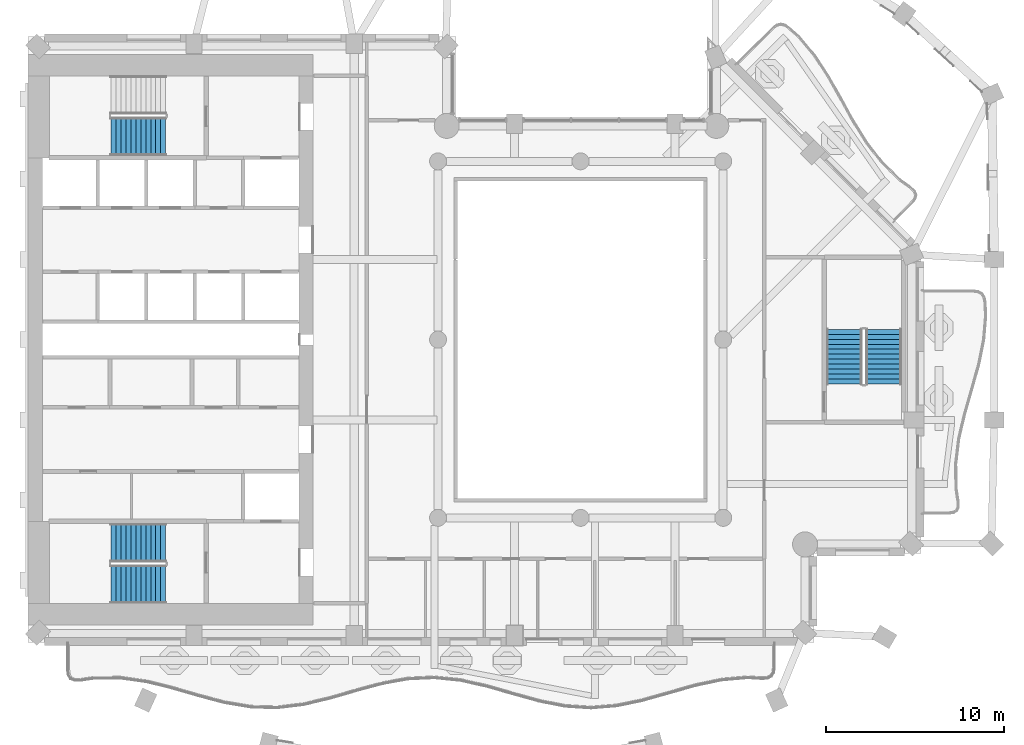
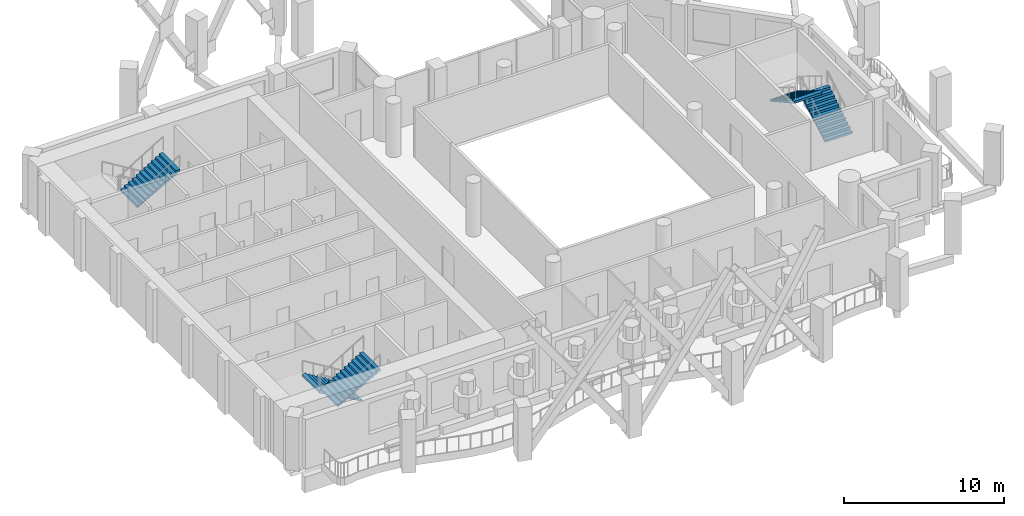
# One storey, part 9 of 16: 5 stair flights, 3 elements without a shape of their own.
"""IFC4 building model written with IfcOpenShell, lengths in metres."""

from ifc_helpers import new_model, si_unit, direction, frame, origin, place, context, subcontext, project, spatial, triangles, material, type_object, element, aggregate, save


model = new_model("IFC4")

# Units and contexts
model_context = context("Model", 3, precision=1e-05, world=origin(), true_north=direction((0.0, 1.0)))
body_context = subcontext(model_context, "Body", "Model", "MODEL_VIEW")
ifc_project = project(units=[si_unit("LENGTHUNIT", "METRE"), si_unit("AREAUNIT", "SQUARE_METRE"), si_unit("VOLUMEUNIT", "CUBIC_METRE"), si_unit("PLANEANGLEUNIT", "RADIAN"), si_unit("MASSUNIT", "GRAM", prefix="KILO")], contexts=[model_context])

# Site, building, storey
site_placement = place(None, origin())
site = spatial("IfcSite", under=ifc_project, at=site_placement, CompositionType="ELEMENT")
building_placement = place(site_placement, origin())
building = spatial("IfcBuilding", under=site, at=building_placement, Name="Cypress Arch Tower", CompositionType="ELEMENT")
storey_placement = place(building_placement, frame((0.0, 0.0, 230.199951171875)))
storey = spatial("IfcBuildingStorey", under=building, at=storey_placement, Name="L51", CompositionType="ELEMENT", Elevation=230.199951171875)

# Stair, stair flights
ifc_material_1 = material(Name="Concrete C40/50", Category="concrete")
stair_type_1 = type_object("IfcStairType", Name="Exit stair ES1708-200", PredefinedType="HALF_TURN_STAIR", material=ifc_material_1)
stair_1_placement = place(storey_placement, origin())
stair_1 = element("IfcStair", 1, at=stair_1_placement, inside=storey, type_object=stair_type_1, Name="L51 Exit stair C", PredefinedType="HALF_TURN_STAIR")
ifc_material_2 = material(Name="Concrete C40/50", Category="concrete")
stair_flight_type_1 = type_object("IfcStairFlightType", Name="Exit stair flight ES1708-200", PredefinedType="STRAIGHT", material=ifc_material_2)
stair_flight_1_placement = place(storey_placement, frame((18.0, -2.5, 0.0), z_axis=(0.0, 0.0, 1.0), x_axis=(0.0, 1.0, 0.0)))
stair_flight_1 = element("IfcStairFlight", 2, at=stair_flight_1_placement, type_object=stair_flight_type_1, Name="C flight 1", NumberOfRisers=12, NumberOfTreads=11, PredefinedType="STRAIGHT", RiserHeight=0.170833333, TreadLength=0.28, context=body_context, shape_type="Tessellation", body=[
    triangles([(0.0, -1.0, 0.0), (0.0, -1.0, 0.1708984375), (0.280029296875, -1.0, 0.1708984375), (0.280029296875, -1.0, 0.341552734375), (0.56005859375, -1.0, 0.341552734375), (0.56005859375, -1.0, 0.512451171875), (0.840087890625, -1.0, 0.512451171875), (0.840087890625, -1.0, 0.683349609375), (1.1201171875, -1.0, 0.683349609375), (1.1201171875, -1.0, 0.854248046875), (1.39990234375, -1.0, 0.854248046875), (1.39990234375, -1.0, 1.02490234375), (1.679931640625, -1.0, 1.02490234375), (1.679931640625, -1.0, 1.19580078125), (1.9599609375, -1.0, 1.19580078125), (1.9599609375, -1.0, 1.36669921875), (2.239990234375, -1.0, 1.36669921875), (2.239990234375, -1.0, 1.53759765625), (2.52001953125, -1.0, 1.53759765625), (2.52001953125, -1.0, 1.708251953125), (2.800048828125, -1.0, 1.708251953125), (2.800048828125, -1.0, 1.879150390625), (3.080078125, -1.0, 1.879150390625), (3.080078125, -1.0, 1.70361328125), (3.080078125, 1.0, 1.70361328125), (3.080078125, 1.0, 1.879150390625), (2.800048828125, 1.0, 1.879150390625), (2.800048828125, 1.0, 1.708251953125), (2.52001953125, 1.0, 1.708251953125), (2.52001953125, 1.0, 1.53759765625), (2.239990234375, 1.0, 1.53759765625), (2.239990234375, 1.0, 1.36669921875), (1.9599609375, 1.0, 1.36669921875), (1.9599609375, 1.0, 1.19580078125), (1.679931640625, 1.0, 1.19580078125), (1.679931640625, 1.0, 1.02490234375), (1.39990234375, 1.0, 1.02490234375), (1.39990234375, 1.0, 0.854248046875), (1.1201171875, 1.0, 0.854248046875), (1.1201171875, 1.0, 0.683349609375), (0.840087890625, 1.0, 0.683349609375), (0.840087890625, 1.0, 0.512451171875), (0.56005859375, 1.0, 0.512451171875), (0.56005859375, 1.0, 0.341552734375), (0.280029296875, 1.0, 0.341552734375), (0.280029296875, 1.0, 0.1708984375), (0.0, 1.0, 0.1708984375), (0.0, 1.0, 0.0), (3.080078125, 0.0, 1.879150390625), (3.080078125, 0.0, 1.70361328125), (2.800048828125, 0.0, 1.879150390625), (2.800048828125, 0.0, 1.708251953125), (2.52001953125, 0.0, 1.708251953125), (2.52001953125, 0.0, 1.53759765625), (2.239990234375, 0.0, 1.53759765625), (2.239990234375, 0.0, 1.36669921875), (1.9599609375, 0.0, 1.36669921875), (1.9599609375, 0.0, 1.19580078125), (1.679931640625, 0.0, 1.19580078125), (1.679931640625, 0.0, 1.02490234375), (1.39990234375, 0.0, 1.02490234375), (1.39990234375, 0.0, 0.854248046875), (1.1201171875, 0.0, 0.854248046875), (1.1201171875, 0.0, 0.683349609375), (0.840087890625, 0.0, 0.683349609375), (0.840087890625, 0.0, 0.512451171875), (0.56005859375, 0.0, 0.512451171875), (0.56005859375, 0.0, 0.341552734375), (0.280029296875, 0.0, 0.341552734375), (0.280029296875, 0.0, 0.1708984375), (0.0, 0.0, 0.1708984375), (0.0, 0.0, 0.0)], [[24, 23, 22], [11, 10, 9], [19, 18, 17], [17, 16, 15], [15, 14, 13], [9, 8, 7], [7, 6, 5], [3, 2, 1], [21, 20, 19], [13, 12, 11], [5, 4, 3], [24, 22, 21], [24, 21, 19], [24, 19, 17], [24, 17, 15], [24, 15, 13], [24, 13, 11], [24, 11, 9], [24, 9, 7], [24, 7, 5], [1, 24, 5], [5, 3, 1], [25, 27, 26], [38, 40, 39], [30, 32, 31], [32, 34, 33], [34, 36, 35], [40, 42, 41], [42, 44, 43], [46, 48, 47], [28, 30, 29], [36, 38, 37], [44, 46, 45], [25, 28, 27], [25, 30, 28], [25, 32, 30], [25, 34, 32], [25, 36, 34], [25, 38, 36], [25, 40, 38], [25, 42, 40], [25, 44, 42], [48, 44, 25], [44, 48, 46], [50, 49, 23], [50, 23, 24], [25, 26, 49], [25, 49, 50], [49, 51, 22], [49, 22, 23], [26, 27, 51], [26, 51, 49], [51, 52, 21], [51, 21, 22], [27, 28, 52], [27, 52, 51], [52, 53, 20], [52, 20, 21], [28, 29, 53], [28, 53, 52], [53, 54, 19], [53, 19, 20], [29, 30, 54], [29, 54, 53], [54, 55, 18], [54, 18, 19], [30, 31, 55], [30, 55, 54], [55, 56, 17], [55, 17, 18], [31, 32, 56], [31, 56, 55], [56, 57, 16], [56, 16, 17], [32, 33, 57], [32, 57, 56], [57, 58, 15], [57, 15, 16], [33, 34, 58], [33, 58, 57], [58, 59, 14], [58, 14, 15], [34, 35, 59], [34, 59, 58], [59, 60, 13], [59, 13, 14], [35, 36, 60], [35, 60, 59], [60, 61, 12], [60, 12, 13], [36, 37, 61], [36, 61, 60], [61, 62, 11], [61, 11, 12], [37, 38, 62], [37, 62, 61], [62, 63, 10], [62, 10, 11], [38, 39, 63], [38, 63, 62], [63, 64, 9], [63, 9, 10], [39, 40, 64], [39, 64, 63], [64, 65, 8], [64, 8, 9], [40, 41, 65], [40, 65, 64], [65, 66, 7], [65, 7, 8], [41, 42, 66], [41, 66, 65], [66, 67, 6], [66, 6, 7], [42, 43, 67], [42, 67, 66], [67, 68, 5], [67, 5, 6], [43, 44, 68], [43, 68, 67], [68, 69, 4], [68, 4, 5], [44, 45, 69], [44, 69, 68], [69, 70, 3], [69, 3, 4], [45, 46, 70], [45, 70, 69], [70, 71, 2], [70, 2, 3], [46, 47, 71], [46, 71, 70], [71, 72, 1], [71, 1, 2], [47, 48, 72], [47, 72, 71], [72, 50, 24], [72, 24, 1], [48, 25, 50], [48, 50, 72]], closed=True),
])
stair_flight_2_placement = place(storey_placement, frame((15.800048828125, 0.580078125, 2.050048828125), z_axis=(0.0, 0.0, 1.0), x_axis=(0.0, -1.0, 0.0)))
stair_flight_2 = element("IfcStairFlight", 3, at=stair_flight_2_placement, type_object=stair_flight_type_1, Name="C flight 2", NumberOfRisers=12, NumberOfTreads=11, PredefinedType="STRAIGHT", RiserHeight=0.170833333, TreadLength=0.28, context=body_context, shape_type="Tessellation", body=[
    triangles([(0.0, -1.0, 0.0), (0.0, -1.0, 0.1708984375), (0.280029296875, -1.0, 0.1708984375), (0.280029296875, -1.0, 0.341552734375), (0.56005859375, -1.0, 0.341552734375), (0.56005859375, -1.0, 0.512451171875), (0.840087890625, -1.0, 0.512451171875), (0.840087890625, -1.0, 0.683349609375), (1.1201171875, -1.0, 0.683349609375), (1.1201171875, -1.0, 0.854248046875), (1.39990234375, -1.0, 0.854248046875), (1.39990234375, -1.0, 1.02490234375), (1.679931640625, -1.0, 1.02490234375), (1.679931640625, -1.0, 1.19580078125), (1.9599609375, -1.0, 1.19580078125), (1.9599609375, -1.0, 1.36669921875), (2.239990234375, -1.0, 1.36669921875), (2.239990234375, -1.0, 1.53759765625), (2.52001953125, -1.0, 1.53759765625), (2.52001953125, -1.0, 1.708251953125), (2.800048828125, -1.0, 1.708251953125), (2.800048828125, -1.0, 1.879150390625), (3.080078125, -1.0, 1.879150390625), (3.080078125, -1.0, 1.70361328125), (3.080078125, 1.0, 1.70361328125), (3.080078125, 1.0, 1.879150390625), (2.800048828125, 1.0, 1.879150390625), (2.800048828125, 1.0, 1.708251953125), (2.52001953125, 1.0, 1.708251953125), (2.52001953125, 1.0, 1.53759765625), (2.239990234375, 1.0, 1.53759765625), (2.239990234375, 1.0, 1.36669921875), (1.9599609375, 1.0, 1.36669921875), (1.9599609375, 1.0, 1.19580078125), (1.679931640625, 1.0, 1.19580078125), (1.679931640625, 1.0, 1.02490234375), (1.39990234375, 1.0, 1.02490234375), (1.39990234375, 1.0, 0.854248046875), (1.1201171875, 1.0, 0.854248046875), (1.1201171875, 1.0, 0.683349609375), (0.840087890625, 1.0, 0.683349609375), (0.840087890625, 1.0, 0.512451171875), (0.56005859375, 1.0, 0.512451171875), (0.56005859375, 1.0, 0.341552734375), (0.280029296875, 1.0, 0.341552734375), (0.280029296875, 1.0, 0.1708984375), (0.0, 1.0, 0.1708984375), (0.0, 1.0, 0.0), (3.080078125, 0.0, 1.879150390625), (3.080078125, 0.0, 1.70361328125), (2.800048828125, 0.0, 1.879150390625), (2.800048828125, 0.0, 1.708251953125), (2.52001953125, 0.0, 1.708251953125), (2.52001953125, 0.0, 1.53759765625), (2.239990234375, 0.0, 1.53759765625), (2.239990234375, 0.0, 1.36669921875), (1.9599609375, 0.0, 1.36669921875), (1.9599609375, 0.0, 1.19580078125), (1.679931640625, 0.0, 1.19580078125), (1.679931640625, 0.0, 1.02490234375), (1.39990234375, 0.0, 1.02490234375), (1.39990234375, 0.0, 0.854248046875), (1.1201171875, 0.0, 0.854248046875), (1.1201171875, 0.0, 0.683349609375), (0.840087890625, 0.0, 0.683349609375), (0.840087890625, 0.0, 0.512451171875), (0.56005859375, 0.0, 0.512451171875), (0.56005859375, 0.0, 0.341552734375), (0.280029296875, 0.0, 0.341552734375), (0.280029296875, 0.0, 0.1708984375), (0.0, 0.0, 0.1708984375), (0.0, 0.0, 0.0)], [[24, 23, 22], [11, 10, 9], [19, 18, 17], [17, 16, 15], [15, 14, 13], [9, 8, 7], [7, 6, 5], [3, 2, 1], [21, 20, 19], [13, 12, 11], [5, 4, 3], [24, 22, 21], [24, 21, 19], [24, 19, 17], [24, 17, 15], [24, 15, 13], [24, 13, 11], [24, 11, 9], [24, 9, 7], [24, 7, 5], [1, 24, 5], [5, 3, 1], [25, 27, 26], [38, 40, 39], [30, 32, 31], [32, 34, 33], [34, 36, 35], [40, 42, 41], [42, 44, 43], [46, 48, 47], [28, 30, 29], [36, 38, 37], [44, 46, 45], [25, 28, 27], [25, 30, 28], [25, 32, 30], [25, 34, 32], [25, 36, 34], [25, 38, 36], [25, 40, 38], [25, 42, 40], [25, 44, 42], [48, 44, 25], [44, 48, 46], [50, 49, 23], [50, 23, 24], [25, 26, 49], [25, 49, 50], [49, 51, 22], [49, 22, 23], [26, 27, 51], [26, 51, 49], [51, 52, 21], [51, 21, 22], [27, 28, 52], [27, 52, 51], [52, 53, 20], [52, 20, 21], [28, 29, 53], [28, 53, 52], [53, 54, 19], [53, 19, 20], [29, 30, 54], [29, 54, 53], [54, 55, 18], [54, 18, 19], [30, 31, 55], [30, 55, 54], [55, 56, 17], [55, 17, 18], [31, 32, 56], [31, 56, 55], [56, 57, 16], [56, 16, 17], [32, 33, 57], [32, 57, 56], [57, 58, 15], [57, 15, 16], [33, 34, 58], [33, 58, 57], [58, 59, 14], [58, 14, 15], [34, 35, 59], [34, 59, 58], [59, 60, 13], [59, 13, 14], [35, 36, 60], [35, 60, 59], [60, 61, 12], [60, 12, 13], [36, 37, 61], [36, 61, 60], [61, 62, 11], [61, 11, 12], [37, 38, 62], [37, 62, 61], [62, 63, 10], [62, 10, 11], [38, 39, 63], [38, 63, 62], [63, 64, 9], [63, 9, 10], [39, 40, 64], [39, 64, 63], [64, 65, 8], [64, 8, 9], [40, 41, 65], [40, 65, 64], [65, 66, 7], [65, 7, 8], [41, 42, 66], [41, 66, 65], [66, 67, 6], [66, 6, 7], [42, 43, 67], [42, 67, 66], [67, 68, 5], [67, 5, 6], [43, 44, 68], [43, 68, 67], [68, 69, 4], [68, 4, 5], [44, 45, 69], [44, 69, 68], [69, 70, 3], [69, 3, 4], [45, 46, 70], [45, 70, 69], [70, 71, 2], [70, 2, 3], [46, 47, 71], [46, 71, 70], [71, 72, 1], [71, 1, 2], [47, 48, 72], [47, 72, 71], [72, 50, 24], [72, 24, 1], [48, 25, 50], [48, 50, 72]], closed=True),
])
aggregate(stair_1, [stair_flight_1, stair_flight_2])

ifc_material_3 = material(Name="Concrete C40/50", Category="concrete")
stair_type_2 = type_object("IfcStairType", Name="Exit stair ES1708-215", PredefinedType="HALF_TURN_STAIR", material=ifc_material_3)
stair_2_placement = place(storey_placement, origin())
stair_2 = element("IfcStair", 4, at=stair_2_placement, inside=storey, type_object=stair_type_2, Name="L51 Exit stair A", PredefinedType="HALF_TURN_STAIR")
ifc_material_4 = material(Name="Concrete C40/50", Category="concrete")
stair_flight_type_2 = type_object("IfcStairFlightType", Name="Exit stair flight ES1708-215", PredefinedType="STRAIGHT", material=ifc_material_4)
stair_flight_3_placement = place(storey_placement, frame((-22.27490234375, -11.39990234375, 0.0), z_axis=(0.0, 0.0, 1.0), x_axis=(-1.0, 0.0, 0.0)))
stair_flight_3 = element("IfcStairFlight", 5, at=stair_flight_3_placement, type_object=stair_flight_type_2, Name="A flight 1", NumberOfRisers=12, NumberOfTreads=11, PredefinedType="STRAIGHT", RiserHeight=0.170833333, TreadLength=0.28, context=body_context, shape_type="Tessellation", body=[
    triangles([(0.0, -1.074951171875, 0.0), (0.000244140625, -1.074951171875, 0.01904296875), (0.000244140625, -1.074951171875, 0.0380859375), (0.00048828125, -1.074951171875, 0.056884765625), (0.00048828125, -1.074951171875, 0.075927734375), (0.00048828125, -1.074951171875, 0.094970703125), (0.00048828125, -1.074951171875, 0.114013671875), (0.000244140625, -1.074951171875, 0.1328125), (0.000244140625, -1.074951171875, 0.15185546875), (0.0, -1.074951171875, 0.1708984375), (0.280029296875, -1.074951171875, 0.1708984375), (0.280029296875, -1.074951171875, 0.341552734375), (0.56005859375, -1.074951171875, 0.341552734375), (0.56005859375, -1.074951171875, 0.512451171875), (0.840087890625, -1.074951171875, 0.512451171875), (0.840087890625, -1.074951171875, 0.683349609375), (1.1201171875, -1.074951171875, 0.683349609375), (1.1201171875, -1.074951171875, 0.854248046875), (1.39990234375, -1.074951171875, 0.854248046875), (1.39990234375, -1.074951171875, 1.02490234375), (1.679931640625, -1.074951171875, 1.02490234375), (1.679931640625, -1.074951171875, 1.19580078125), (1.9599609375, -1.074951171875, 1.19580078125), (1.9599609375, -1.074951171875, 1.36669921875), (2.239990234375, -1.074951171875, 1.36669921875), (2.239990234375, -1.074951171875, 1.53759765625), (2.52001953125, -1.074951171875, 1.53759765625), (2.52001953125, -1.074951171875, 1.708251953125), (2.800048828125, -1.074951171875, 1.708251953125), (2.800048828125, -1.074951171875, 1.879150390625), (3.080078125, -1.074951171875, 1.879150390625), (3.079833984375, -1.074951171875, 1.859619140625), (3.079833984375, -1.074951171875, 1.840087890625), (3.07958984375, -1.074951171875, 1.820556640625), (3.07958984375, -1.074951171875, 1.801025390625), (3.07958984375, -1.074951171875, 1.78173828125), (3.07958984375, -1.074951171875, 1.76220703125), (3.079833984375, -1.074951171875, 1.74267578125), (3.079833984375, -1.074951171875, 1.72314453125), (3.080078125, -1.074951171875, 1.70361328125), (3.080078125, 1.074951171875, 1.70361328125), (3.079833984375, 1.074951171875, 1.72314453125), (3.079833984375, 1.074951171875, 1.74267578125), (3.07958984375, 1.074951171875, 1.76220703125), (3.07958984375, 1.074951171875, 1.78173828125), (3.07958984375, 1.074951171875, 1.801025390625), (3.07958984375, 1.074951171875, 1.820556640625), (3.079833984375, 1.074951171875, 1.840087890625), (3.079833984375, 1.074951171875, 1.859619140625), (3.080078125, 1.074951171875, 1.879150390625), (2.800048828125, 1.074951171875, 1.879150390625), (2.800048828125, 1.074951171875, 1.708251953125), (2.52001953125, 1.074951171875, 1.708251953125), (2.52001953125, 1.074951171875, 1.53759765625), (2.239990234375, 1.074951171875, 1.53759765625), (2.239990234375, 1.074951171875, 1.36669921875), (1.9599609375, 1.074951171875, 1.36669921875), (1.9599609375, 1.074951171875, 1.19580078125), (1.679931640625, 1.074951171875, 1.19580078125), (1.679931640625, 1.074951171875, 1.02490234375), (1.39990234375, 1.074951171875, 1.02490234375), (1.39990234375, 1.074951171875, 0.854248046875), (1.1201171875, 1.074951171875, 0.854248046875), (1.1201171875, 1.074951171875, 0.683349609375), (0.840087890625, 1.074951171875, 0.683349609375), (0.840087890625, 1.074951171875, 0.512451171875), (0.56005859375, 1.074951171875, 0.512451171875), (0.56005859375, 1.074951171875, 0.341552734375), (0.280029296875, 1.074951171875, 0.341552734375), (0.280029296875, 1.074951171875, 0.1708984375), (0.0, 1.074951171875, 0.1708984375), (0.000244140625, 1.074951171875, 0.15185546875), (0.000244140625, 1.074951171875, 0.1328125), (0.00048828125, 1.074951171875, 0.114013671875), (0.00048828125, 1.074951171875, 0.094970703125), (0.00048828125, 1.074951171875, 0.075927734375), (0.00048828125, 1.074951171875, 0.056884765625), (0.000244140625, 1.074951171875, 0.0380859375), (0.000244140625, 1.074951171875, 0.01904296875), (0.0, 1.074951171875, 0.0)], [[40, 39, 30], [39, 38, 30], [38, 37, 30], [37, 36, 30], [36, 35, 30], [35, 34, 30], [34, 33, 30], [33, 32, 30], [32, 31, 30], [19, 18, 17], [27, 26, 25], [25, 24, 23], [23, 22, 21], [17, 16, 15], [15, 14, 13], [10, 9, 11], [9, 8, 11], [8, 7, 11], [7, 6, 11], [6, 5, 11], [5, 4, 11], [4, 3, 11], [3, 2, 11], [2, 1, 11], [29, 28, 27], [21, 20, 19], [13, 12, 11], [40, 30, 29], [40, 29, 27], [40, 27, 25], [40, 25, 23], [40, 23, 21], [40, 21, 19], [40, 19, 17], [40, 17, 15], [40, 15, 13], [1, 40, 13], [13, 11, 1], [41, 51, 42], [42, 51, 43], [43, 51, 44], [44, 51, 45], [45, 51, 46], [46, 51, 47], [47, 51, 48], [48, 51, 49], [49, 51, 50], [62, 64, 63], [54, 56, 55], [56, 58, 57], [58, 60, 59], [64, 66, 65], [66, 68, 67], [71, 70, 72], [72, 70, 73], [73, 70, 74], [74, 70, 75], [75, 70, 76], [76, 70, 77], [77, 70, 78], [78, 70, 79], [79, 70, 80], [52, 54, 53], [60, 62, 61], [68, 70, 69], [41, 52, 51], [41, 54, 52], [41, 56, 54], [41, 58, 56], [41, 60, 58], [41, 62, 60], [41, 64, 62], [41, 66, 64], [41, 68, 66], [80, 68, 41], [68, 80, 70], [41, 42, 39], [41, 39, 40], [42, 43, 38], [42, 38, 39], [43, 44, 37], [43, 37, 38], [44, 45, 36], [44, 36, 37], [45, 46, 35], [45, 35, 36], [46, 47, 34], [46, 34, 35], [47, 48, 33], [47, 33, 34], [48, 49, 32], [48, 32, 33], [49, 50, 31], [49, 31, 32], [50, 51, 30], [50, 30, 31], [51, 52, 29], [51, 29, 30], [52, 53, 28], [52, 28, 29], [53, 54, 27], [53, 27, 28], [54, 55, 26], [54, 26, 27], [55, 56, 25], [55, 25, 26], [56, 57, 24], [56, 24, 25], [57, 58, 23], [57, 23, 24], [58, 59, 22], [58, 22, 23], [59, 60, 21], [59, 21, 22], [60, 61, 20], [60, 20, 21], [61, 62, 19], [61, 19, 20], [62, 63, 18], [62, 18, 19], [63, 64, 17], [63, 17, 18], [64, 65, 16], [64, 16, 17], [65, 66, 15], [65, 15, 16], [66, 67, 14], [66, 14, 15], [67, 68, 13], [67, 13, 14], [68, 69, 12], [68, 12, 13], [69, 70, 11], [69, 11, 12], [70, 71, 10], [70, 10, 11], [71, 72, 9], [71, 9, 10], [72, 73, 8], [72, 8, 9], [73, 74, 7], [73, 7, 8], [74, 75, 6], [74, 6, 7], [75, 76, 5], [75, 5, 6], [76, 77, 4], [76, 4, 5], [77, 78, 3], [77, 3, 4], [78, 79, 2], [78, 2, 3], [79, 80, 1], [79, 1, 2], [80, 41, 40], [80, 40, 1]], closed=True),
])
stair_flight_4_placement = place(storey_placement, frame((-25.35498046875, -13.72509765625, 2.050048828125), z_axis=(0.0, 0.0, 1.0), x_axis=(1.0, 0.0, 0.0)))
stair_flight_4 = element("IfcStairFlight", 6, at=stair_flight_4_placement, type_object=stair_flight_type_2, Name="A flight 2", NumberOfRisers=12, NumberOfTreads=11, PredefinedType="STRAIGHT", RiserHeight=0.170833333, TreadLength=0.28, context=body_context, shape_type="Tessellation", body=[
    triangles([(0.0, -1.074951171875, 0.0), (0.000244140625, -1.074951171875, 0.01904296875), (0.000244140625, -1.074951171875, 0.0380859375), (0.00048828125, -1.074951171875, 0.056884765625), (0.00048828125, -1.074951171875, 0.075927734375), (0.00048828125, -1.074951171875, 0.094970703125), (0.00048828125, -1.074951171875, 0.114013671875), (0.000244140625, -1.074951171875, 0.1328125), (0.000244140625, -1.074951171875, 0.15185546875), (0.0, -1.074951171875, 0.1708984375), (0.280029296875, -1.074951171875, 0.1708984375), (0.280029296875, -1.074951171875, 0.341552734375), (0.56005859375, -1.074951171875, 0.341552734375), (0.56005859375, -1.074951171875, 0.512451171875), (0.840087890625, -1.074951171875, 0.512451171875), (0.840087890625, -1.074951171875, 0.683349609375), (1.1201171875, -1.074951171875, 0.683349609375), (1.1201171875, -1.074951171875, 0.854248046875), (1.39990234375, -1.074951171875, 0.854248046875), (1.39990234375, -1.074951171875, 1.02490234375), (1.679931640625, -1.074951171875, 1.02490234375), (1.679931640625, -1.074951171875, 1.19580078125), (1.9599609375, -1.074951171875, 1.19580078125), (1.9599609375, -1.074951171875, 1.36669921875), (2.239990234375, -1.074951171875, 1.36669921875), (2.239990234375, -1.074951171875, 1.53759765625), (2.52001953125, -1.074951171875, 1.53759765625), (2.52001953125, -1.074951171875, 1.708251953125), (2.800048828125, -1.074951171875, 1.708251953125), (2.800048828125, -1.074951171875, 1.879150390625), (3.080078125, -1.074951171875, 1.879150390625), (3.079833984375, -1.074951171875, 1.859619140625), (3.079833984375, -1.074951171875, 1.840087890625), (3.07958984375, -1.074951171875, 1.820556640625), (3.07958984375, -1.074951171875, 1.801025390625), (3.07958984375, -1.074951171875, 1.78173828125), (3.07958984375, -1.074951171875, 1.76220703125), (3.079833984375, -1.074951171875, 1.74267578125), (3.079833984375, -1.074951171875, 1.72314453125), (3.080078125, -1.074951171875, 1.70361328125), (3.080078125, 1.074951171875, 1.70361328125), (3.079833984375, 1.074951171875, 1.72314453125), (3.079833984375, 1.074951171875, 1.74267578125), (3.07958984375, 1.074951171875, 1.76220703125), (3.07958984375, 1.074951171875, 1.78173828125), (3.07958984375, 1.074951171875, 1.801025390625), (3.07958984375, 1.074951171875, 1.820556640625), (3.079833984375, 1.074951171875, 1.840087890625), (3.079833984375, 1.074951171875, 1.859619140625), (3.080078125, 1.074951171875, 1.879150390625), (2.800048828125, 1.074951171875, 1.879150390625), (2.800048828125, 1.074951171875, 1.708251953125), (2.52001953125, 1.074951171875, 1.708251953125), (2.52001953125, 1.074951171875, 1.53759765625), (2.239990234375, 1.074951171875, 1.53759765625), (2.239990234375, 1.074951171875, 1.36669921875), (1.9599609375, 1.074951171875, 1.36669921875), (1.9599609375, 1.074951171875, 1.19580078125), (1.679931640625, 1.074951171875, 1.19580078125), (1.679931640625, 1.074951171875, 1.02490234375), (1.39990234375, 1.074951171875, 1.02490234375), (1.39990234375, 1.074951171875, 0.854248046875), (1.1201171875, 1.074951171875, 0.854248046875), (1.1201171875, 1.074951171875, 0.683349609375), (0.840087890625, 1.074951171875, 0.683349609375), (0.840087890625, 1.074951171875, 0.512451171875), (0.56005859375, 1.074951171875, 0.512451171875), (0.56005859375, 1.074951171875, 0.341552734375), (0.280029296875, 1.074951171875, 0.341552734375), (0.280029296875, 1.074951171875, 0.1708984375), (0.0, 1.074951171875, 0.1708984375), (0.000244140625, 1.074951171875, 0.15185546875), (0.000244140625, 1.074951171875, 0.1328125), (0.00048828125, 1.074951171875, 0.114013671875), (0.00048828125, 1.074951171875, 0.094970703125), (0.00048828125, 1.074951171875, 0.075927734375), (0.00048828125, 1.074951171875, 0.056884765625), (0.000244140625, 1.074951171875, 0.0380859375), (0.000244140625, 1.074951171875, 0.01904296875), (0.0, 1.074951171875, 0.0)], [[40, 39, 30], [39, 38, 30], [38, 37, 30], [37, 36, 30], [36, 35, 30], [35, 34, 30], [34, 33, 30], [33, 32, 30], [32, 31, 30], [19, 18, 17], [27, 26, 25], [25, 24, 23], [23, 22, 21], [17, 16, 15], [15, 14, 13], [10, 9, 11], [9, 8, 11], [8, 7, 11], [7, 6, 11], [6, 5, 11], [5, 4, 11], [4, 3, 11], [3, 2, 11], [2, 1, 11], [29, 28, 27], [21, 20, 19], [13, 12, 11], [40, 30, 29], [40, 29, 27], [40, 27, 25], [40, 25, 23], [40, 23, 21], [40, 21, 19], [40, 19, 17], [40, 17, 15], [40, 15, 13], [1, 40, 13], [13, 11, 1], [41, 51, 42], [42, 51, 43], [43, 51, 44], [44, 51, 45], [45, 51, 46], [46, 51, 47], [47, 51, 48], [48, 51, 49], [49, 51, 50], [62, 64, 63], [54, 56, 55], [56, 58, 57], [58, 60, 59], [64, 66, 65], [66, 68, 67], [71, 70, 72], [72, 70, 73], [73, 70, 74], [74, 70, 75], [75, 70, 76], [76, 70, 77], [77, 70, 78], [78, 70, 79], [79, 70, 80], [52, 54, 53], [60, 62, 61], [68, 70, 69], [41, 52, 51], [41, 54, 52], [41, 56, 54], [41, 58, 56], [41, 60, 58], [41, 62, 60], [41, 64, 62], [41, 66, 64], [41, 68, 66], [80, 68, 41], [68, 80, 70], [41, 42, 39], [41, 39, 40], [42, 43, 38], [42, 38, 39], [43, 44, 37], [43, 37, 38], [44, 45, 36], [44, 36, 37], [45, 46, 35], [45, 35, 36], [46, 47, 34], [46, 34, 35], [47, 48, 33], [47, 33, 34], [48, 49, 32], [48, 32, 33], [49, 50, 31], [49, 31, 32], [50, 51, 30], [50, 30, 31], [51, 52, 29], [51, 29, 30], [52, 53, 28], [52, 28, 29], [53, 54, 27], [53, 27, 28], [54, 55, 26], [54, 26, 27], [55, 56, 25], [55, 25, 26], [56, 57, 24], [56, 24, 25], [57, 58, 23], [57, 23, 24], [58, 59, 22], [58, 22, 23], [59, 60, 21], [59, 21, 22], [60, 61, 20], [60, 20, 21], [61, 62, 19], [61, 19, 20], [62, 63, 18], [62, 18, 19], [63, 64, 17], [63, 17, 18], [64, 65, 16], [64, 16, 17], [65, 66, 15], [65, 15, 16], [66, 67, 14], [66, 14, 15], [67, 68, 13], [67, 13, 14], [68, 69, 12], [68, 12, 13], [69, 70, 11], [69, 11, 12], [70, 71, 10], [70, 10, 11], [71, 72, 9], [71, 9, 10], [72, 73, 8], [72, 8, 9], [73, 74, 7], [73, 7, 8], [74, 75, 6], [74, 6, 7], [75, 76, 5], [75, 5, 6], [76, 77, 4], [76, 4, 5], [77, 78, 3], [77, 3, 4], [78, 79, 2], [78, 2, 3], [79, 80, 1], [79, 1, 2], [80, 41, 40], [80, 40, 1]], closed=True),
])
aggregate(stair_2, [stair_flight_3, stair_flight_4])

# Stair, stair flight
stair_3_placement = place(storey_placement, origin())
stair_3 = element("IfcStair", 7, at=stair_3_placement, inside=storey, type_object=stair_type_2, Name="L51 Exit stair B", PredefinedType="HALF_TURN_STAIR")
stair_flight_5_placement = place(storey_placement, frame((-25.35498046875, 11.39990234375, 2.050048828125), z_axis=(0.0, 0.0, 1.0), x_axis=(1.0, 0.0, 0.0)))
stair_flight_5 = element("IfcStairFlight", 8, at=stair_flight_5_placement, type_object=stair_flight_type_2, Name="B flight 2", NumberOfRisers=12, NumberOfTreads=11, PredefinedType="STRAIGHT", RiserHeight=0.170833333, TreadLength=0.28, context=body_context, shape_type="Tessellation", body=[
    triangles([(0.0, -1.074951171875, 0.0), (0.000244140625, -1.074951171875, 0.01904296875), (0.000244140625, -1.074951171875, 0.0380859375), (0.00048828125, -1.074951171875, 0.056884765625), (0.00048828125, -1.074951171875, 0.075927734375), (0.00048828125, -1.074951171875, 0.094970703125), (0.00048828125, -1.074951171875, 0.114013671875), (0.000244140625, -1.074951171875, 0.1328125), (0.000244140625, -1.074951171875, 0.15185546875), (0.0, -1.074951171875, 0.1708984375), (0.280029296875, -1.074951171875, 0.1708984375), (0.280029296875, -1.074951171875, 0.341552734375), (0.56005859375, -1.074951171875, 0.341552734375), (0.56005859375, -1.074951171875, 0.512451171875), (0.840087890625, -1.074951171875, 0.512451171875), (0.840087890625, -1.074951171875, 0.683349609375), (1.1201171875, -1.074951171875, 0.683349609375), (1.1201171875, -1.074951171875, 0.854248046875), (1.39990234375, -1.074951171875, 0.854248046875), (1.39990234375, -1.074951171875, 1.02490234375), (1.679931640625, -1.074951171875, 1.02490234375), (1.679931640625, -1.074951171875, 1.19580078125), (1.9599609375, -1.074951171875, 1.19580078125), (1.9599609375, -1.074951171875, 1.36669921875), (2.239990234375, -1.074951171875, 1.36669921875), (2.239990234375, -1.074951171875, 1.53759765625), (2.52001953125, -1.074951171875, 1.53759765625), (2.52001953125, -1.074951171875, 1.708251953125), (2.800048828125, -1.074951171875, 1.708251953125), (2.800048828125, -1.074951171875, 1.879150390625), (3.080078125, -1.074951171875, 1.879150390625), (3.079833984375, -1.074951171875, 1.859619140625), (3.079833984375, -1.074951171875, 1.840087890625), (3.07958984375, -1.074951171875, 1.820556640625), (3.07958984375, -1.074951171875, 1.801025390625), (3.07958984375, -1.074951171875, 1.78173828125), (3.07958984375, -1.074951171875, 1.76220703125), (3.079833984375, -1.074951171875, 1.74267578125), (3.079833984375, -1.074951171875, 1.72314453125), (3.080078125, -1.074951171875, 1.70361328125), (3.080078125, 1.074951171875, 1.70361328125), (3.079833984375, 1.074951171875, 1.72314453125), (3.079833984375, 1.074951171875, 1.74267578125), (3.07958984375, 1.074951171875, 1.76220703125), (3.07958984375, 1.074951171875, 1.78173828125), (3.07958984375, 1.074951171875, 1.801025390625), (3.07958984375, 1.074951171875, 1.820556640625), (3.079833984375, 1.074951171875, 1.840087890625), (3.079833984375, 1.074951171875, 1.859619140625), (3.080078125, 1.074951171875, 1.879150390625), (2.800048828125, 1.074951171875, 1.879150390625), (2.800048828125, 1.074951171875, 1.708251953125), (2.52001953125, 1.074951171875, 1.708251953125), (2.52001953125, 1.074951171875, 1.53759765625), (2.239990234375, 1.074951171875, 1.53759765625), (2.239990234375, 1.074951171875, 1.36669921875), (1.9599609375, 1.074951171875, 1.36669921875), (1.9599609375, 1.074951171875, 1.19580078125), (1.679931640625, 1.074951171875, 1.19580078125), (1.679931640625, 1.074951171875, 1.02490234375), (1.39990234375, 1.074951171875, 1.02490234375), (1.39990234375, 1.074951171875, 0.854248046875), (1.1201171875, 1.074951171875, 0.854248046875), (1.1201171875, 1.074951171875, 0.683349609375), (0.840087890625, 1.074951171875, 0.683349609375), (0.840087890625, 1.074951171875, 0.512451171875), (0.56005859375, 1.074951171875, 0.512451171875), (0.56005859375, 1.074951171875, 0.341552734375), (0.280029296875, 1.074951171875, 0.341552734375), (0.280029296875, 1.074951171875, 0.1708984375), (0.0, 1.074951171875, 0.1708984375), (0.000244140625, 1.074951171875, 0.15185546875), (0.000244140625, 1.074951171875, 0.1328125), (0.00048828125, 1.074951171875, 0.114013671875), (0.00048828125, 1.074951171875, 0.094970703125), (0.00048828125, 1.074951171875, 0.075927734375), (0.00048828125, 1.074951171875, 0.056884765625), (0.000244140625, 1.074951171875, 0.0380859375), (0.000244140625, 1.074951171875, 0.01904296875), (0.0, 1.074951171875, 0.0)], [[40, 39, 30], [39, 38, 30], [38, 37, 30], [37, 36, 30], [36, 35, 30], [35, 34, 30], [34, 33, 30], [33, 32, 30], [32, 31, 30], [19, 18, 17], [27, 26, 25], [25, 24, 23], [23, 22, 21], [17, 16, 15], [15, 14, 13], [10, 9, 11], [9, 8, 11], [8, 7, 11], [7, 6, 11], [6, 5, 11], [5, 4, 11], [4, 3, 11], [3, 2, 11], [2, 1, 11], [29, 28, 27], [21, 20, 19], [13, 12, 11], [40, 30, 29], [40, 29, 27], [40, 27, 25], [40, 25, 23], [40, 23, 21], [40, 21, 19], [40, 19, 17], [40, 17, 15], [40, 15, 13], [1, 40, 13], [13, 11, 1], [41, 51, 42], [42, 51, 43], [43, 51, 44], [44, 51, 45], [45, 51, 46], [46, 51, 47], [47, 51, 48], [48, 51, 49], [49, 51, 50], [62, 64, 63], [54, 56, 55], [56, 58, 57], [58, 60, 59], [64, 66, 65], [66, 68, 67], [71, 70, 72], [72, 70, 73], [73, 70, 74], [74, 70, 75], [75, 70, 76], [76, 70, 77], [77, 70, 78], [78, 70, 79], [79, 70, 80], [52, 54, 53], [60, 62, 61], [68, 70, 69], [41, 52, 51], [41, 54, 52], [41, 56, 54], [41, 58, 56], [41, 60, 58], [41, 62, 60], [41, 64, 62], [41, 66, 64], [41, 68, 66], [80, 68, 41], [68, 80, 70], [41, 42, 39], [41, 39, 40], [42, 43, 38], [42, 38, 39], [43, 44, 37], [43, 37, 38], [44, 45, 36], [44, 36, 37], [45, 46, 35], [45, 35, 36], [46, 47, 34], [46, 34, 35], [47, 48, 33], [47, 33, 34], [48, 49, 32], [48, 32, 33], [49, 50, 31], [49, 31, 32], [50, 51, 30], [50, 30, 31], [51, 52, 29], [51, 29, 30], [52, 53, 28], [52, 28, 29], [53, 54, 27], [53, 27, 28], [54, 55, 26], [54, 26, 27], [55, 56, 25], [55, 25, 26], [56, 57, 24], [56, 24, 25], [57, 58, 23], [57, 23, 24], [58, 59, 22], [58, 22, 23], [59, 60, 21], [59, 21, 22], [60, 61, 20], [60, 20, 21], [61, 62, 19], [61, 19, 20], [62, 63, 18], [62, 18, 19], [63, 64, 17], [63, 17, 18], [64, 65, 16], [64, 16, 17], [65, 66, 15], [65, 15, 16], [66, 67, 14], [66, 14, 15], [67, 68, 13], [67, 13, 14], [68, 69, 12], [68, 12, 13], [69, 70, 11], [69, 11, 12], [70, 71, 10], [70, 10, 11], [71, 72, 9], [71, 9, 10], [72, 73, 8], [72, 8, 9], [73, 74, 7], [73, 7, 8], [74, 75, 6], [74, 6, 7], [75, 76, 5], [75, 5, 6], [76, 77, 4], [76, 4, 5], [77, 78, 3], [77, 3, 4], [78, 79, 2], [78, 2, 3], [79, 80, 1], [79, 1, 2], [80, 41, 40], [80, 40, 1]], closed=True),
])
aggregate(stair_3, [stair_flight_5])

save(model, "model.ifc")
